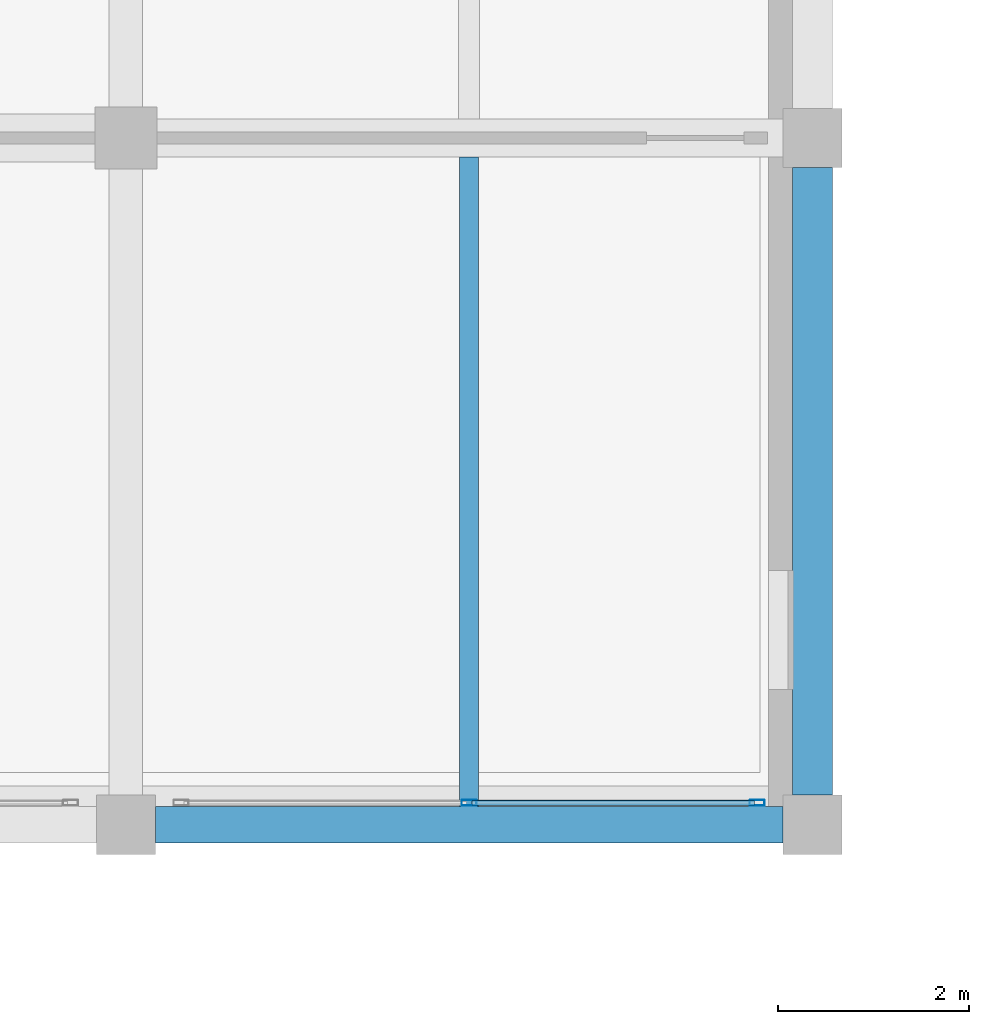
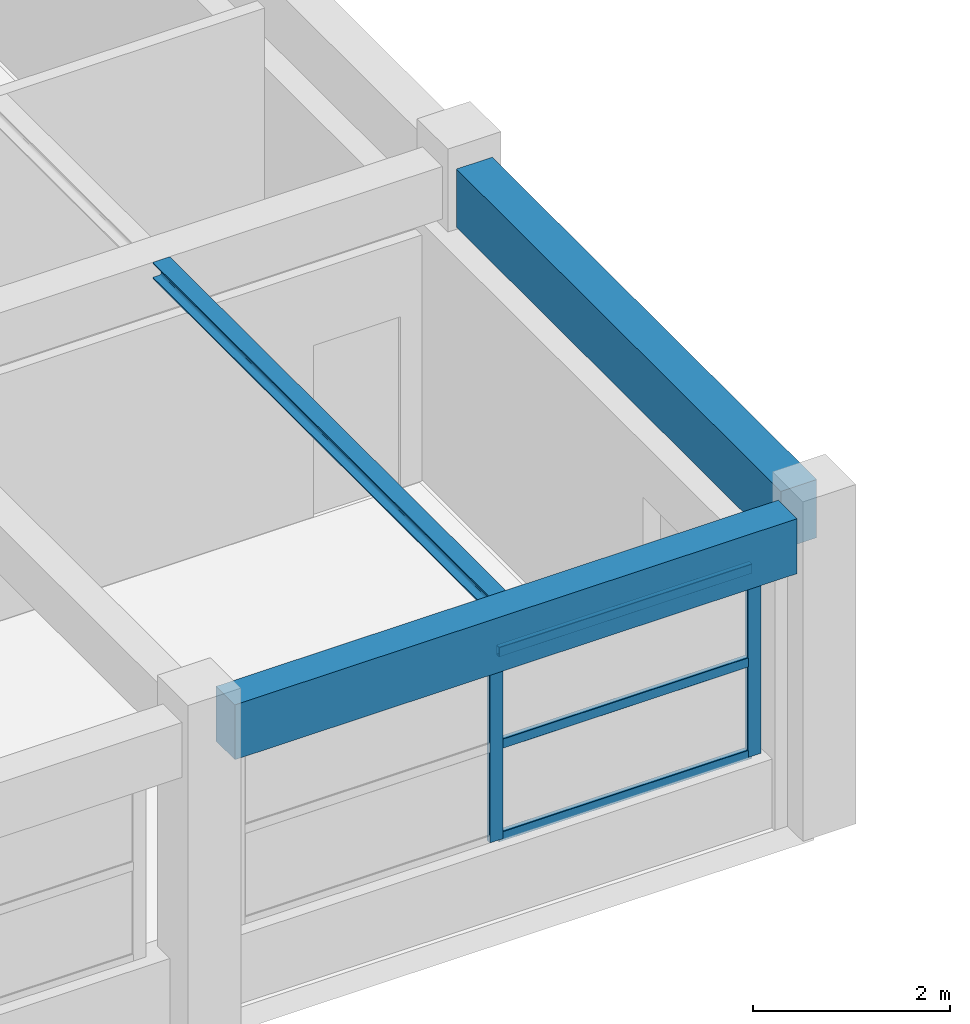
# One storey, part 25 of 67: 5 members, 3 beams, 1 element without a shape of its own.
"""IFC4 building model written with IfcOpenShell, lengths in metres."""

import ifcopenshell
import ifcopenshell.guid

model = None  # the IFC model being written
_history = None  # IfcOwnerHistory: only IFC2X3 demands one
_inside = {}  # id of a spatial element -> (the spatial element, [elements in it])
_under = {}  # id of a project, library or spatial element -> (it, [spatial elements below it])
_declared = {}  # id of a project -> (the project, [libraries it declares])
_typed = {}  # id of a type object -> (the type object, [elements of that type])
_made_of = {}  # id of a material, layer set ... -> (it, [elements and type objects made of it])


def new_model(schema):
    """Start an empty IFC model of exactly this schema.

    Asked for "IFC4X3", IfcOpenShell would pick the latest addendum, in which some entities
    have other attributes; the version numbers below select the first issue.
    IFC2X3 requires an IfcOwnerHistory on every rooted entity: one is made here for all.
    """
    global model, _history
    if schema == "IFC4X3":
        model = ifcopenshell.file(schema_version=(4, 3, 0, 0))
    else:
        model = ifcopenshell.file(schema=schema)
    _inside.clear()
    _under.clear()
    _declared.clear()
    _typed.clear()
    _made_of.clear()
    _history = None
    if model.schema == "IFC2X3":
        org = make("IfcOrganization", Name="unknown")
        user = make(
            "IfcPersonAndOrganization",
            ThePerson=make("IfcPerson", FamilyName="unknown"),
            TheOrganization=org,
        )
        app = make(
            "IfcApplication",
            ApplicationDeveloper=org,
            Version="unknown",
            ApplicationFullName="unknown",
            ApplicationIdentifier="unknown",
        )
        _history = make(
            "IfcOwnerHistory",
            OwningUser=user,
            OwningApplication=app,
            ChangeAction="ADDED",
            CreationDate=0,
        )
    return model


def make(cls, **values):
    """One entity of the class cls with the attributes given. An attribute that is None is left unset."""
    return model.create_entity(
        cls, **{name: value for name, value in values.items() if value is not None}
    )


def rooted(cls, **values):
    """An entity with a GlobalId (a new one), such as an element, a storey or a relation."""
    return make(cls, GlobalId=ifcopenshell.guid.new(), OwnerHistory=_history, **values)


def si_unit(unit_type, name, prefix=None):
    """IfcSIUnit, for example si_unit("LENGTHUNIT", "METRE", prefix="MILLI")."""
    return make("IfcSIUnit", UnitType=unit_type, Prefix=prefix, Name=name)


def assignment(units):
    """IfcUnitAssignment: the units of a project."""
    return None if units is None else make("IfcUnitAssignment", Units=units)


def point(xyz):
    """IfcCartesianPoint."""
    return None if xyz is None else make("IfcCartesianPoint", Coordinates=xyz)


def direction(xyz):
    """IfcDirection."""
    return None if xyz is None else make("IfcDirection", DirectionRatios=xyz)


def frame(location, z_axis=None, x_axis=None):
    """IfcAxis2Placement3D, a coordinate frame: its origin and axes. An axis left out is left unset."""
    return make(
        "IfcAxis2Placement3D",
        Location=point(location),
        Axis=direction(z_axis),
        RefDirection=direction(x_axis),
    )


def frame_2d(location, x_axis=None):
    """IfcAxis2Placement2D, a coordinate frame in the plane: its origin and x axis."""
    return make(
        "IfcAxis2Placement2D", Location=point(location), RefDirection=direction(x_axis)
    )


def origin():
    """The frame at (0, 0, 0) with its axes left unset."""
    return frame((0.0, 0.0, 0.0))


def origin_2d():
    """The frame at (0, 0) in the plane with its x axis left unset."""
    return frame_2d((0.0, 0.0))


def place(relative_to, where):
    """IfcLocalPlacement: puts the frame where relative to a parent placement (None: the world)."""
    return make(
        "IfcLocalPlacement", PlacementRelTo=relative_to, RelativePlacement=where
    )


def context(
    kind, dimensions, precision=None, world=None, true_north=None, identifier=None
):
    """IfcGeometricRepresentationContext, for example the 3D "Model" context."""
    return make(
        "IfcGeometricRepresentationContext",
        ContextIdentifier=identifier,
        ContextType=kind,
        CoordinateSpaceDimension=dimensions,
        Precision=precision,
        WorldCoordinateSystem=world,
        TrueNorth=true_north,
    )


def subcontext(parent, identifier, kind, view, scale=None):
    """IfcGeometricRepresentationSubContext, for example "Body" below "Model"."""
    return make(
        "IfcGeometricRepresentationSubContext",
        ContextIdentifier=identifier,
        ContextType=kind,
        ParentContext=parent,
        TargetScale=scale,
        TargetView=view,
    )


def project(units=None, contexts=None):
    """IfcProject with its units and contexts."""
    return rooted(
        "IfcProject",
        Name="project",
        RepresentationContexts=contexts,
        UnitsInContext=assignment(units),
    )


def spatial(cls, under=None, at=None, **own):
    """A site, building, storey or space (cls), placed at a placement, below another one or the project."""
    s = rooted(cls, ObjectPlacement=at, **own)
    if under is not None:
        _under.setdefault(under.id(), (under, []))[1].append(s)
    return s


def profile(cls, at=None, kind="AREA", **sizes):
    """A parametric profile (cls). Its sizes go by their IFC names, for example OverallWidth=200.0."""
    return make(cls, ProfileType=kind, Position=at, **sizes)


def rectangle(**sizes):
    """IfcRectangleProfileDef."""
    return profile("IfcRectangleProfileDef", **sizes)


def hollow_rectangle(**sizes):
    """IfcRectangleHollowProfileDef."""
    return profile("IfcRectangleHollowProfileDef", **sizes)


def i_section(**sizes):
    """IfcIShapeProfileDef."""
    return profile("IfcIShapeProfileDef", **sizes)


def extrude(swept, where, along, depth):
    """IfcExtrudedAreaSolid: the profile swept, set in the frame where, extruded along a direction by depth."""
    return make(
        "IfcExtrudedAreaSolid",
        SweptArea=swept,
        Position=where,
        ExtrudedDirection=direction(along),
        Depth=depth,
    )


def shape(context_of_items, identifier, shape_type, items):
    """IfcShapeRepresentation: the items that make up one representation, for example the "Body"."""
    return make(
        "IfcShapeRepresentation",
        ContextOfItems=context_of_items,
        RepresentationIdentifier=identifier,
        RepresentationType=shape_type,
        Items=items,
    )


def material(Name=None, Category=None):
    """IfcMaterial."""
    return make("IfcMaterial", Name=Name, Category=Category)


def material_profile(
    of_material, cross_section, Name=None, Category=None, Priority=None
):
    """IfcMaterialProfile: a cross section and its material."""
    return make(
        "IfcMaterialProfile",
        Name=Name,
        Material=of_material,
        Profile=cross_section,
        Priority=Priority,
        Category=Category,
    )


def profile_set(profiles, Name=None, composite=None):
    """IfcMaterialProfileSet."""
    return make(
        "IfcMaterialProfileSet",
        Name=Name,
        MaterialProfiles=profiles,
        CompositeProfile=composite,
    )


def made_of(thing, what):
    """Note that an element or type object is made of a material, layer set ...; save() writes the relation."""
    if what is not None:
        _made_of.setdefault(what.id(), (what, []))[1].append(thing)
    return thing


def type_object(cls, material=None, **own):
    """A type object (cls), such as IfcWallType, which elements share."""
    return made_of(rooted(cls, **own), material)


def element(
    cls,
    number,
    at=None,
    inside=None,
    cuts=None,
    type_object=None,
    material=None,
    context=None,
    identifier="Body",
    shape_type=None,
    held_by="IfcProductDefinitionShape",
    body=None,
    shapes=None,
    **own,
):
    """One element of the class cls, such as IfcWall. Its Tag is "e" and its number.

    at: its placement. inside: the storey or other place that contains it. cuts: it is an
    opening in that element (IfcRelVoidsElement). A single representation is given by context,
    identifier, shape_type and body (its items); several are given by shapes. held_by: the class
    of the entity that holds the representations. save() writes the other relations.
    """
    e = rooted(cls, Tag="e%d" % number, ObjectPlacement=at, **own)
    if body is not None:
        shapes = [shape(context, identifier, shape_type, body)]
    if shapes is not None:
        e.Representation = make(held_by, Representations=shapes)
    if inside is not None:
        _inside.setdefault(inside.id(), (inside, []))[1].append(e)
    if cuts is not None:
        rooted(
            "IfcRelVoidsElement", RelatingBuildingElement=cuts, RelatedOpeningElement=e
        )
    if type_object is not None:
        _typed.setdefault(type_object.id(), (type_object, []))[1].append(e)
    return made_of(e, material)


def aggregate(whole, parts):
    """IfcRelAggregates: a whole, such as a stair, and the parts it consists of."""
    return rooted("IfcRelAggregates", RelatingObject=whole, RelatedObjects=parts)


def save(model, path):
    """Write the relations noted so far, then the file.

    IfcRelAggregates (storeys below a building ...), IfcRelContainedInSpatialStructure (elements
    in a storey), IfcRelDefinesByType, IfcRelAssociatesMaterial and IfcRelDeclares: one each for
    every whole, place, type object, material and project.
    """
    for whole, parts in _under.values():
        aggregate(whole, parts)
    for where, things in _inside.values():
        rooted(
            "IfcRelContainedInSpatialStructure",
            RelatedElements=things,
            RelatingStructure=where,
        )
    for kind, things in _typed.values():
        rooted("IfcRelDefinesByType", RelatedObjects=things, RelatingType=kind)
    for what, things in _made_of.values():
        rooted("IfcRelAssociatesMaterial", RelatedObjects=things, RelatingMaterial=what)
    for by, libraries in _declared.values():
        rooted("IfcRelDeclares", RelatingContext=by, RelatedDefinitions=libraries)
    model.write(path)


model = new_model("IFC4")

# Units and contexts
model_context = context("Model", 3, precision=1e-05, world=origin(), true_north=direction((0.0, 1.0)))
body_context = subcontext(model_context, "Body", "Model", "MODEL_VIEW")
ifc_project = project(units=[si_unit("LENGTHUNIT", "METRE"), si_unit("AREAUNIT", "SQUARE_METRE"), si_unit("VOLUMEUNIT", "CUBIC_METRE"), si_unit("PLANEANGLEUNIT", "RADIAN"), si_unit("MASSUNIT", "GRAM", prefix="KILO")], contexts=[model_context])

# Site, building, storey
site_placement = place(None, origin())
site = spatial("IfcSite", under=ifc_project, at=site_placement, CompositionType="ELEMENT")
building_placement = place(site_placement, origin())
building = spatial("IfcBuilding", under=site, at=building_placement, Name="Bramveld Media Centre", CompositionType="ELEMENT")
storey_placement = place(building_placement, frame((0.0, 0.0, 5.39990234375)))
storey = spatial("IfcBuildingStorey", under=building, at=storey_placement, Name="L01", CompositionType="ELEMENT", Elevation=5.39990234375)

# Curtain wall, members
ifc_material_1 = material(Name="Thermally broken anodized bronze aluminium unitized curtain wall with solar-control triple glazing", Category="aluminium")
curtain_wall_type = type_object("IfcCurtainWallType", Name="CW-FACV6-6100x2350", PredefinedType="NOTDEFINED", material=ifc_material_1)
curtain_wall_placement = place(storey_placement, origin())
curtain_wall = element("IfcCurtainWall", 1, at=curtain_wall_placement, inside=storey, type_object=curtain_wall_type, Name="V6 L01 S curtain wall bay 6", PredefinedType="NOTDEFINED")
ifc_material_2 = material(Name="Thermally broken anodized bronze aluminium EN AW-6063 T6 curtain-wall framing", Category="aluminium")
ifc_material_profile_1 = material_profile(ifc_material_2, hollow_rectangle(XDim=0.06005859375, YDim=0.159912109375, WallThickness=0.00390625, InnerFilletRadius=0.00390625, OuterFilletRadius=0.008056640625, at=origin_2d()), Name="AL-MULL 60x160")
ifc_profile_set_1 = profile_set([ifc_material_profile_1], Name="Thermally broken anodized bronze aluminium EN AW-6063 T6 curtain-wall framing")
member_type_1 = type_object("IfcMemberType", Name="CW-MULL-EXT", PredefinedType="MULLION", material=ifc_profile_set_1)
member_1_placement = place(storey_placement, frame((105.199951171875, 90.6298828125, 0.85009765625), z_axis=(0.0, 0.0, 1.0), x_axis=(0.0, 1.0, 0.0)))
member_1 = element("IfcMember", 2, at=member_1_placement, type_object=member_type_1, Name="CW-FA-6123 mullion 2", PredefinedType="MULLION", context=body_context, shape_type="SweptSolid", body=[
    extrude(hollow_rectangle(XDim=0.06005859375, YDim=0.159912109375, WallThickness=0.00390625, InnerFilletRadius=0.00390625, OuterFilletRadius=0.008056640625, at=origin_2d()), origin(), (0.0, 0.0, 1.0), 2.35009765625),
])
member_2_placement = place(storey_placement, frame((108.219970703125, 90.6298828125, 0.85009765625), z_axis=(0.0, 0.0, 1.0), x_axis=(0.0, 1.0, 0.0)))
member_2 = element("IfcMember", 3, at=member_2_placement, type_object=member_type_1, Name="CW-FA-6123 mullion 3", PredefinedType="MULLION", context=body_context, shape_type="SweptSolid", body=[
    extrude(hollow_rectangle(XDim=0.06005859375, YDim=0.159912109375, WallThickness=0.00390625, InnerFilletRadius=0.00390625, OuterFilletRadius=0.008056640625, at=origin_2d()), origin(), (0.0, 0.0, 1.0), 2.35009765625),
])
ifc_material_3 = material(Name="Thermally broken anodized bronze aluminium EN AW-6063 T6 curtain-wall framing", Category="aluminium")
ifc_material_profile_2 = material_profile(ifc_material_3, hollow_rectangle(XDim=0.06005859375, YDim=0.1201171875, WallThickness=0.00341796875, InnerFilletRadius=0.00341796875, OuterFilletRadius=0.007080078125, at=origin_2d()), Name="AL-TRAN 60x120")
ifc_profile_set_2 = profile_set([ifc_material_profile_2], Name="Thermally broken anodized bronze aluminium EN AW-6063 T6 curtain-wall framing")
member_type_2 = type_object("IfcMemberType", Name="CW-TRAN-EXT", PredefinedType="USERDEFINED", material=ifc_profile_set_2)
member_3_placement = place(storey_placement, frame((105.22998046875, 90.6298828125, 0.880126953125), z_axis=(1.0, 0.0, 0.0), x_axis=(0.0, 1.0, 0.0)))
member_3 = element("IfcMember", 4, at=member_3_placement, type_object=member_type_2, Name="CW-FA-6123 transom 2.1", ObjectType="TRANSOM", PredefinedType="USERDEFINED", context=body_context, shape_type="SweptSolid", body=[
    extrude(hollow_rectangle(XDim=0.06005859375, YDim=0.1201171875, WallThickness=0.00341796875, InnerFilletRadius=0.00341796875, OuterFilletRadius=0.007080078125, at=origin_2d()), origin(), (0.0, 0.0, 1.0), 2.9599609375),
])
member_4_placement = place(storey_placement, frame((105.22998046875, 90.6298828125, 2.025146484375), z_axis=(1.0, 0.0, 0.0), x_axis=(0.0, 1.0, 0.0)))
member_4 = element("IfcMember", 5, at=member_4_placement, type_object=member_type_2, Name="CW-FA-6123 transom 2.2", ObjectType="TRANSOM", PredefinedType="USERDEFINED", context=body_context, shape_type="SweptSolid", body=[
    extrude(hollow_rectangle(XDim=0.06005859375, YDim=0.1201171875, WallThickness=0.00341796875, InnerFilletRadius=0.00341796875, OuterFilletRadius=0.007080078125, at=origin_2d()), origin(), (0.0, 0.0, 1.0), 2.9599609375),
])
member_5_placement = place(storey_placement, frame((105.22998046875, 90.6298828125, 3.170166015625), z_axis=(1.0, 0.0, 0.0), x_axis=(0.0, 1.0, 0.0)))
member_5 = element("IfcMember", 6, at=member_5_placement, type_object=member_type_2, Name="CW-FA-6123 transom 2.3", ObjectType="TRANSOM", PredefinedType="USERDEFINED", context=body_context, shape_type="SweptSolid", body=[
    extrude(hollow_rectangle(XDim=0.06005859375, YDim=0.1201171875, WallThickness=0.00341796875, InnerFilletRadius=0.00341796875, OuterFilletRadius=0.007080078125, at=origin_2d()), origin(), (0.0, 0.0, 1.0), 2.9599609375),
])
aggregate(curtain_wall, [member_1, member_2, member_3, member_4, member_5])

# Beams
ifc_material_4 = material(Name="Steel S355J2", Category="steel")
ifc_material_profile_3 = material_profile(ifc_material_4, i_section(OverallWidth=0.199951171875, OverallDepth=0.199951171875, WebThickness=0.009033203125, FlangeThickness=0.014892578125, FilletRadius=0.01806640625, at=origin_2d()), Name="HEB 200")
ifc_profile_set_3 = profile_set([ifc_material_profile_3], Name="Steel S355J2")
beam_type_1 = type_object("IfcBeamType", Name="SBM-INT-HEB-200", PredefinedType="BEAM", material=ifc_profile_set_3)
beam_1_placement = place(storey_placement, frame((105.199951171875, 90.590087890625, 3.820068359375), z_axis=(0.0, 1.0, 0.0), x_axis=(-1.0, 0.0, 0.0)))
element("IfcBeam", 7, at=beam_1_placement, inside=storey, type_object=beam_type_1, Name="V6 L01 secondary floor joist 1060", PredefinedType="BEAM", context=body_context, shape_type="SweptSolid", body=[
    extrude(i_section(OverallWidth=0.199951171875, OverallDepth=0.199951171875, WebThickness=0.009033203125, FlangeThickness=0.014892578125, FilletRadius=0.01806640625, at=origin_2d()), origin(), (0.0, 0.0, 1.0), 6.809814453125),
])
ifc_material_5 = material(Name="Concrete C40/50", Category="concrete")
ifc_material_profile_4 = material_profile(ifc_material_5, rectangle(XDim=0.3798828125, YDim=0.679931640625, at=origin_2d()), Name="RC 380x680")
ifc_profile_set_4 = profile_set([ifc_material_profile_4], Name="Concrete C40/50")
beam_type_2 = type_object("IfcBeamType", Name="SPANDREL-EXT-RC-380x680", PredefinedType="SPANDREL", material=ifc_profile_set_4)
beam_2_placement = place(storey_placement, frame((101.909912109375, 90.39990234375, 3.580078125), z_axis=(1.0, 0.0, 0.0), x_axis=(0.0, 1.0, 0.0)))
element("IfcBeam", 8, at=beam_2_placement, inside=storey, type_object=beam_type_2, Name="V6 L01 girder X-999", PredefinedType="SPANDREL", context=body_context, shape_type="SweptSolid", body=[
    extrude(rectangle(XDim=0.3798828125, YDim=0.679931640625, at=origin_2d()), origin(), (0.0, 0.0, 1.0), 6.580078125),
])
ifc_material_6 = material(Name="Concrete C40/50", Category="concrete")
ifc_material_profile_5 = material_profile(ifc_material_6, rectangle(XDim=0.419921875, YDim=0.719970703125, at=origin_2d()), Name="RC 420x720")
ifc_profile_set_5 = profile_set([ifc_material_profile_5], Name="Concrete C40/50")
beam_type_3 = type_object("IfcBeamType", Name="SPANDREL-EXT-RC-420x720", PredefinedType="SPANDREL", material=ifc_profile_set_5)
beam_3_placement = place(storey_placement, frame((108.800048828125, 90.7099609375, 3.56005859375), z_axis=(0.0, 1.0, 0.0), x_axis=(-1.0, 0.0, 0.0)))
element("IfcBeam", 9, at=beam_3_placement, inside=storey, type_object=beam_type_3, Name="V6 L01 girder Y-1042", PredefinedType="SPANDREL", context=body_context, shape_type="SweptSolid", body=[
    extrude(rectangle(XDim=0.419921875, YDim=0.719970703125, at=origin_2d()), origin(), (0.0, 0.0, 1.0), 6.580078125),
])

save(model, "model.ifc")
